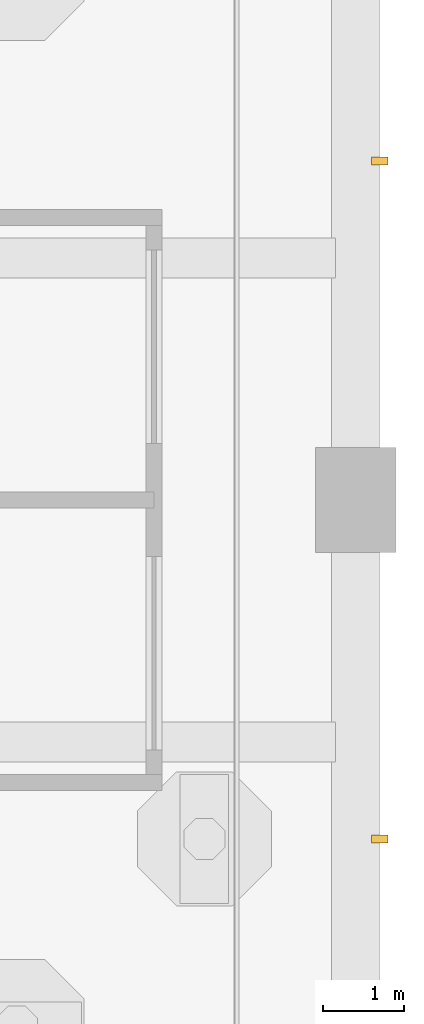
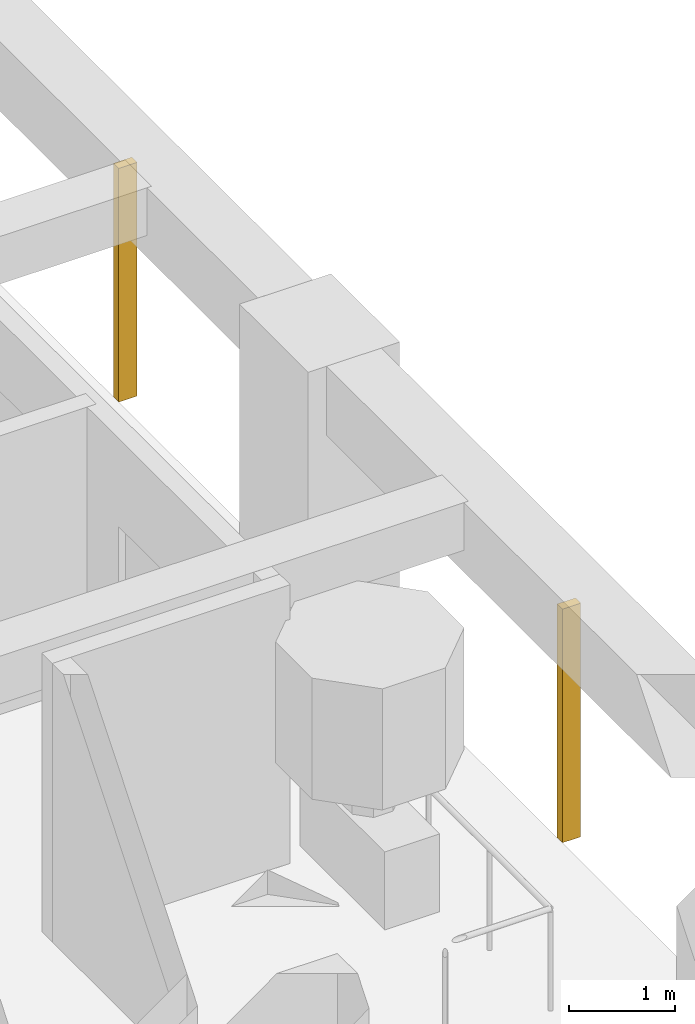
# One storey, part 15 of 18: 2 shading devices.
"""IFC4 building model written with IfcOpenShell, lengths in metres."""

from ifc_helpers import new_model, si_unit, direction, frame, origin, origin_2d, place, context, subcontext, project, spatial, rectangle, extrude, material, material_profile, profile_set, type_object, element, save


model = new_model("IFC4")

# Units and contexts
model_context = context("Model", 3, precision=1e-05, world=origin(), true_north=direction((0.0, 1.0)))
body_context = subcontext(model_context, "Body", "Model", "MODEL_VIEW")
ifc_project = project(units=[si_unit("LENGTHUNIT", "METRE"), si_unit("AREAUNIT", "SQUARE_METRE"), si_unit("VOLUMEUNIT", "CUBIC_METRE"), si_unit("PLANEANGLEUNIT", "RADIAN"), si_unit("MASSUNIT", "GRAM", prefix="KILO")], contexts=[model_context])

# Site, building, storey
site_placement = place(None, origin())
site = spatial("IfcSite", under=ifc_project, at=site_placement, CompositionType="ELEMENT")
building_placement = place(site_placement, origin())
building = spatial("IfcBuilding", under=site, at=building_placement, Name="Vermilion Gate Residences", CompositionType="ELEMENT")
storey_placement = place(building_placement, frame((0.0, 0.0, 102.199951171875)))
storey = spatial("IfcBuildingStorey", under=building, at=storey_placement, Name="L25", CompositionType="ELEMENT", Elevation=102.199951171875)

# Shading devices
ifc_material = material(Name="Extruded terracotta", Category="masonry")
ifc_material_profile = material_profile(ifc_material, rectangle(XDim=0.199951171875, YDim=0.10009765625, at=origin_2d()), Name="BAGUETTE 100 X 200")
ifc_profile_set = profile_set([ifc_material_profile], Name="Extruded terracotta")
shading_device_type = type_object("IfcShadingDeviceType", Name="TERRACOTTA BAGUETTE 100 X 200", PredefinedType="JALOUSIE", material=ifc_profile_set)
for number, where, z_axis, x_axis, name in (
    (1, (67.5, 12.60009765625, -0.280029296875), (0.0, 0.0, 1.0), (-1.0, 0.0, 0.0), "BAGUETTE"),
    (2, (67.5, 21.0, -0.280029296875), (0.0, 0.0, 1.0), (-1.0, 0.0, 0.0), "BAGUETTE"),
):
    element("IfcShadingDevice", number, at=place(storey_placement, frame(where, z_axis=z_axis, x_axis=x_axis)), inside=storey, type_object=shading_device_type, Name=name, PredefinedType="JALOUSIE", context=body_context, shape_type="SweptSolid", body=[
        extrude(rectangle(XDim=0.199951171875, YDim=0.10009765625, at=origin_2d()), origin(), (0.0, 0.0, 1.0), 2.7001953125),
    ])

save(model, "model.ifc")
